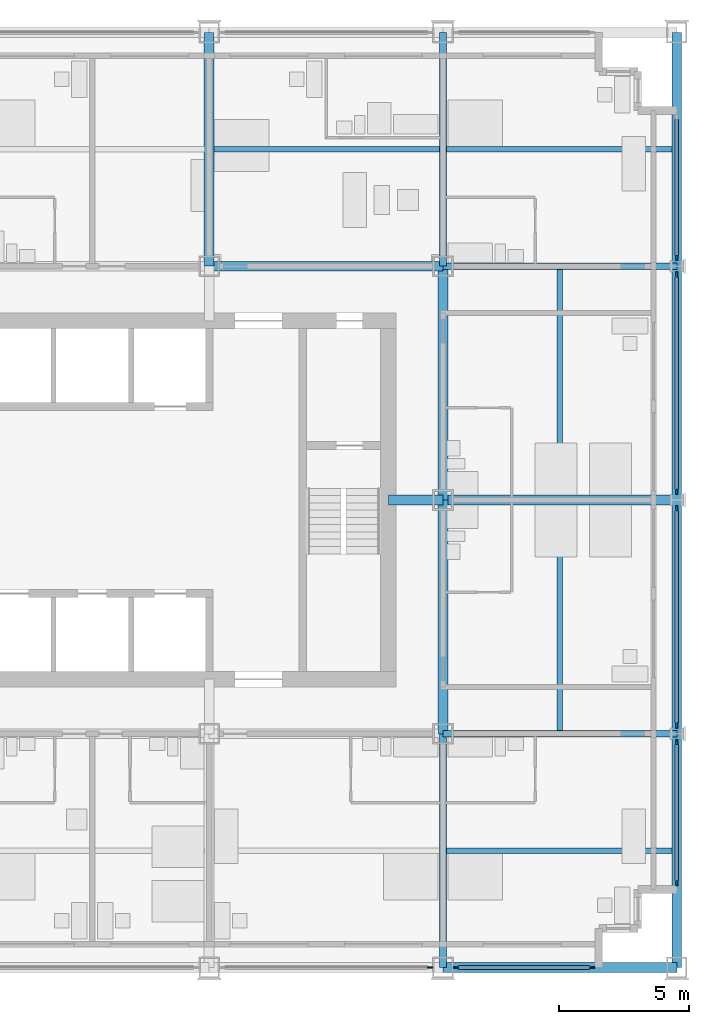
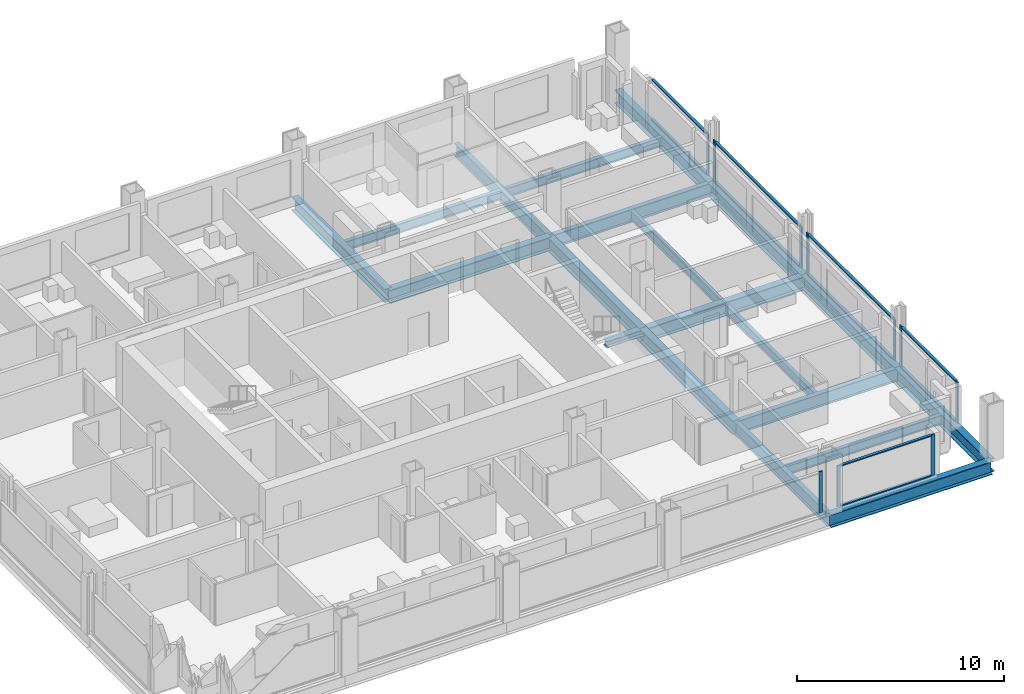
# One storey, part 5 of 16: 21 members, 19 beams, 6 elements without a shape of their own.
"""IFC4 building model written with IfcOpenShell, lengths in metres."""

from ifc_helpers import new_model, si_unit, direction, frame, origin, origin_2d, place, context, subcontext, project, spatial, rectangle, i_section, extrude, material, material_profile, profile_set, type_object, element, aggregate, save


model = new_model("IFC4")

# Units and contexts
model_context = context("Model", 3, precision=1e-05, world=origin(), true_north=direction((0.0, 1.0)))
body_context = subcontext(model_context, "Body", "Model", "MODEL_VIEW")
ifc_project = project(units=[si_unit("LENGTHUNIT", "METRE"), si_unit("AREAUNIT", "SQUARE_METRE"), si_unit("VOLUMEUNIT", "CUBIC_METRE"), si_unit("PLANEANGLEUNIT", "RADIAN"), si_unit("MASSUNIT", "GRAM", prefix="KILO")], contexts=[model_context])

# Site, building, storey
site_placement = place(None, origin())
site = spatial("IfcSite", under=ifc_project, at=site_placement, CompositionType="ELEMENT")
building_placement = place(site_placement, origin())
building = spatial("IfcBuilding", under=site, at=building_placement, Name="Loomwork Tower", CompositionType="ELEMENT")
storey_placement = place(building_placement, frame((0.0, 0.0, 128.199951171875)))
storey = spatial("IfcBuildingStorey", under=building, at=storey_placement, Name="L34", CompositionType="ELEMENT", Elevation=128.199951171875)

# Beams
ifc_material_1 = material(Name="Steel ASTM A992", Category="steel")
ifc_material_profile_1 = material_profile(ifc_material_1, i_section(OverallWidth=0.383544921875, OverallDepth=0.794921875, WebThickness=0.02099609375, FlangeThickness=0.0380859375, at=origin_2d()), Name="W30x235")
ifc_profile_set_1 = profile_set([ifc_material_profile_1], Name="Steel ASTM A992")
beam_type_1 = type_object("IfcBeamType", Name="CORE FLANK GIRDER W30x235", PredefinedType="BEAM", material=ifc_profile_set_1)
for number, where, z_axis, x_axis, name in (
    (1, (36.0, 18.0, -0.597412109375), (1.0, 0.0, 0.0), (0.0, 1.0, 0.0), "Core Flank Girder F/6-F/7 L34"),
    (2, (27.0, 27.0, -0.597412109375), (1.0, 0.0, 0.0), (0.0, 1.0, 0.0), "Core Flank Girder G/5-G/6 L34"),
    (3, (27.0, 27.0, -0.597412109375), (0.0, 1.0, 0.0), (-1.0, 0.0, 0.0), "Core Flank Girder G/5-H/5 L34"),
    (4, (36.0, 9.0, -0.597412109375), (0.0, 1.0, 0.0), (-1.0, 0.0, 0.0), "Core Flank Girder E/6-F/6 L34"),
    (5, (36.0, 18.0, -0.597412109375), (0.0, 1.0, 0.0), (-1.0, 0.0, 0.0), "Core Flank Girder F/6-G/6 L34"),
):
    element("IfcBeam", number, at=place(storey_placement, frame(where, z_axis=z_axis, x_axis=x_axis)), inside=storey, type_object=beam_type_1, Name=name, PredefinedType="BEAM", context=body_context, shape_type="SweptSolid", body=[
        extrude(i_section(OverallWidth=0.383544921875, OverallDepth=0.794921875, WebThickness=0.02099609375, FlangeThickness=0.0380859375, at=origin_2d()), origin(), (0.0, 0.0, 1.0), 9.0),
    ])

# Member
ifc_material_2 = material(Name="Steel ASTM A992", Category="steel")
ifc_material_profile_2 = material_profile(ifc_material_2, i_section(OverallWidth=0.373291015625, OverallDepth=0.373291015625, WebThickness=0.016357421875, FlangeThickness=0.026123046875, at=origin_2d()), Name="W14x132")
ifc_profile_set_2 = profile_set([ifc_material_profile_2], Name="Steel ASTM A992")
member_type_1 = type_object("IfcMemberType", Name="CORE LINK STRUT W14x132", PredefinedType="STRUT", material=ifc_profile_set_2)
member_1_placement = place(storey_placement, frame((36.0, 18.0, -0.38671875), z_axis=(-1.0, 0.0, 0.0), x_axis=(0.0, -1.0, 0.0)))
element("IfcMember", 6, at=member_1_placement, inside=storey, type_object=member_type_1, Name="Core link strut F/6-33.900,18.000 L34", PredefinedType="STRUT", context=body_context, shape_type="SweptSolid", body=[
    extrude(i_section(OverallWidth=0.373291015625, OverallDepth=0.373291015625, WebThickness=0.016357421875, FlangeThickness=0.026123046875, at=origin_2d()), origin(), (0.0, 0.0, 1.0), 2.10009765625),
])

# Beams
ifc_material_3 = material(Name="Steel ASTM A992", Category="steel")
ifc_material_profile_3 = material_profile(ifc_material_3, i_section(OverallWidth=0.2666015625, OverallDepth=0.761962890625, WebThickness=0.014404296875, FlangeThickness=0.021484375, at=origin_2d()), Name="W30x116")
ifc_profile_set_3 = profile_set([ifc_material_profile_3], Name="Steel ASTM A992")
beam_type_2 = type_object("IfcBeamType", Name="FLOOR GIRDER W30x116", PredefinedType="BEAM", material=ifc_profile_set_3)
for number, where, z_axis, x_axis, name in (
    (7, (36.0, 9.0, -0.5810546875), (1.0, 0.0, 0.0), (0.0, 1.0, 0.0), "Floor Girder E/6-E/7 L34"),
    (8, (36.0, 27.0, -0.5810546875), (1.0, 0.0, 0.0), (0.0, 1.0, 0.0), "Floor Girder G/6-G/7 L34"),
    (9, (36.0, 0.0, -0.5810546875), (0.0, 1.0, 0.0), (-1.0, 0.0, 0.0), "Floor Girder D/6-E/6 L34"),
    (10, (36.0, 27.0, -0.5810546875), (0.0, 1.0, 0.0), (-1.0, 0.0, 0.0), "Floor Girder G/6-H/6 L34"),
):
    element("IfcBeam", number, at=place(storey_placement, frame(where, z_axis=z_axis, x_axis=x_axis)), inside=storey, type_object=beam_type_2, Name=name, PredefinedType="BEAM", context=body_context, shape_type="SweptSolid", body=[
        extrude(i_section(OverallWidth=0.2666015625, OverallDepth=0.761962890625, WebThickness=0.014404296875, FlangeThickness=0.021484375, at=origin_2d()), origin(), (0.0, 0.0, 1.0), 9.0),
    ])
ifc_material_4 = material(Name="Steel ASTM A992", Category="steel")
ifc_material_profile_4 = material_profile(ifc_material_4, i_section(OverallWidth=0.2109375, OverallDepth=0.53857421875, WebThickness=0.011474609375, FlangeThickness=0.018798828125, at=origin_2d()), Name="W21x73")
ifc_profile_set_4 = profile_set([ifc_material_profile_4], Name="Steel ASTM A992")
beam_type_3 = type_object("IfcBeamType", Name="FLOOR JOIST W21x73", PredefinedType="JOIST", material=ifc_profile_set_4)
beam_1_placement = place(storey_placement, frame((27.19091796875, 31.5, -0.46923828125), z_axis=(1.0, 0.0, 0.0), x_axis=(0.0, 1.0, 0.0)))
element("IfcBeam", 11, at=beam_1_placement, inside=storey, type_object=beam_type_3, Name="Floor Joist 27.000,31.500-36.000,31.500 L34", PredefinedType="JOIST", context=body_context, shape_type="SweptSolid", body=[
    extrude(i_section(OverallWidth=0.2109375, OverallDepth=0.53857421875, WebThickness=0.011474609375, FlangeThickness=0.018798828125, at=origin_2d()), origin(), (0.0, 0.0, 1.0), 8.676025390625),
])
beam_2_placement = place(storey_placement, frame((36.133056640625, 4.5, -0.46923828125), z_axis=(1.0, 0.0, 0.0), x_axis=(0.0, 1.0, 0.0)))
element("IfcBeam", 12, at=beam_2_placement, inside=storey, type_object=beam_type_3, Name="Floor Joist 36.000,4.500-45.000,4.500 L34", PredefinedType="JOIST", context=body_context, shape_type="SweptSolid", body=[
    extrude(i_section(OverallWidth=0.2109375, OverallDepth=0.53857421875, WebThickness=0.011474609375, FlangeThickness=0.018798828125, at=origin_2d()), origin(), (0.0, 0.0, 1.0), 8.677001953125),
])
for number, where, z_axis, x_axis, name in (
    (13, (40.5, 9.133056640625, -0.46923828125), (0.0, 1.0, 0.0), (-1.0, 0.0, 0.0), "Floor Joist 40.500,9.000-40.500,18.000 L34"),
    (14, (40.5, 18.19091796875, -0.46923828125), (0.0, 1.0, 0.0), (-1.0, 0.0, 0.0), "Floor Joist 40.500,18.000-40.500,27.000 L34"),
):
    element("IfcBeam", number, at=place(storey_placement, frame(where, z_axis=z_axis, x_axis=x_axis)), inside=storey, type_object=beam_type_3, Name=name, PredefinedType="JOIST", context=body_context, shape_type="SweptSolid", body=[
        extrude(i_section(OverallWidth=0.2109375, OverallDepth=0.53857421875, WebThickness=0.011474609375, FlangeThickness=0.018798828125, at=origin_2d()), origin(), (0.0, 0.0, 1.0), 8.676025390625),
    ])
beam_3_placement = place(storey_placement, frame((36.133056640625, 31.5, -0.46923828125), z_axis=(1.0, 0.0, 0.0), x_axis=(0.0, 1.0, 0.0)))
element("IfcBeam", 15, at=beam_3_placement, inside=storey, type_object=beam_type_3, Name="Floor Joist 36.000,31.500-45.000,31.500 L34", PredefinedType="JOIST", context=body_context, shape_type="SweptSolid", body=[
    extrude(i_section(OverallWidth=0.2109375, OverallDepth=0.53857421875, WebThickness=0.011474609375, FlangeThickness=0.018798828125, at=origin_2d()), origin(), (0.0, 0.0, 1.0), 8.677001953125),
])

# Curtain wall, member
ifc_material_5 = material(Name="Aluminium curtain wall frame", Category="aluminium")
curtain_wall_type = type_object("IfcCurtainWallType", Name="Outer skin glazing hotel", PredefinedType="NOTDEFINED", material=ifc_material_5)
curtain_wall_1_placement = place(storey_placement, origin())
curtain_wall_1 = element("IfcCurtainWall", 16, at=curtain_wall_1_placement, inside=storey, type_object=curtain_wall_type, Name="Outer skin glazing hotel cw/S-27", PredefinedType="NOTDEFINED")
ifc_material_6 = material(Name="Aluminium curtain wall frame", Category="aluminium")
ifc_material_profile_5 = material_profile(ifc_material_6, rectangle(XDim=0.06494140625, YDim=0.199951171875, at=origin_2d()), Name="AL 65x200")
ifc_profile_set_5 = profile_set([ifc_material_profile_5], Name="Aluminium curtain wall frame")
member_type_2 = type_object("IfcMemberType", Name="Outer skin glazing hotel mullion", PredefinedType="MULLION", material=ifc_profile_set_5)
member_2_placement = place(storey_placement, frame((35.5, 0.0, 0.0), z_axis=(0.0, 0.0, 1.0), x_axis=(0.0, 1.0, 0.0)))
member_2 = element("IfcMember", 17, at=member_2_placement, type_object=member_type_2, Name="CW1 mullion 2", PredefinedType="MULLION", context=body_context, shape_type="SweptSolid", body=[
    extrude(rectangle(XDim=0.06494140625, YDim=0.199951171875, at=origin_2d()), origin(), (0.0, 0.0, 1.0), 2.420166015625),
])
aggregate(curtain_wall_1, [member_2])

# Curtain wall, members
curtain_wall_2_placement = place(storey_placement, origin())
curtain_wall_2 = element("IfcCurtainWall", 18, at=curtain_wall_2_placement, inside=storey, type_object=curtain_wall_type, Name="Outer skin glazing hotel cw/S-36", PredefinedType="NOTDEFINED")
member_3_placement = place(storey_placement, frame((36.5, 0.0, 0.0), z_axis=(0.0, 0.0, 1.0), x_axis=(0.0, 1.0, 0.0)))
member_3 = element("IfcMember", 19, at=member_3_placement, type_object=member_type_2, Name="CW1 mullion 1", PredefinedType="MULLION", context=body_context, shape_type="SweptSolid", body=[
    extrude(rectangle(XDim=0.06494140625, YDim=0.199951171875, at=origin_2d()), origin(), (0.0, 0.0, 1.0), 2.420166015625),
])
member_4_placement = place(storey_placement, frame((41.75, 0.0, 0.0), z_axis=(0.0, 0.0, 1.0), x_axis=(0.0, 1.0, 0.0)))
member_4 = element("IfcMember", 20, at=member_4_placement, type_object=member_type_2, Name="CW1 mullion 2", PredefinedType="MULLION", context=body_context, shape_type="SweptSolid", body=[
    extrude(rectangle(XDim=0.06494140625, YDim=0.199951171875, at=origin_2d()), origin(), (0.0, 0.0, 1.0), 2.420166015625),
])

curtain_wall_3_placement = place(storey_placement, origin())
curtain_wall_3 = element("IfcCurtainWall", 21, at=curtain_wall_3_placement, inside=storey, type_object=curtain_wall_type, Name="Outer skin glazing hotel cw/E-0", PredefinedType="NOTDEFINED")
member_5_placement = place(storey_placement, frame((45.0, 3.25, 0.0), z_axis=(0.0, 0.0, 1.0), x_axis=(-1.0, 0.0, 0.0)))
member_5 = element("IfcMember", 22, at=member_5_placement, type_object=member_type_2, Name="CW1 mullion 1", PredefinedType="MULLION", context=body_context, shape_type="SweptSolid", body=[
    extrude(rectangle(XDim=0.06494140625, YDim=0.199951171875, at=origin_2d()), origin(), (0.0, 0.0, 1.0), 2.420166015625),
])
member_6_placement = place(storey_placement, frame((45.0, 8.678955078125, 0.0), z_axis=(0.0, 0.0, 1.0), x_axis=(-1.0, 0.0, 0.0)))
member_6 = element("IfcMember", 23, at=member_6_placement, type_object=member_type_2, Name="CW1 mullion 2", PredefinedType="MULLION", context=body_context, shape_type="SweptSolid", body=[
    extrude(rectangle(XDim=0.06494140625, YDim=0.199951171875, at=origin_2d()), origin(), (0.0, 0.0, 1.0), 2.420166015625),
])

curtain_wall_4_placement = place(storey_placement, origin())
curtain_wall_4 = element("IfcCurtainWall", 24, at=curtain_wall_4_placement, inside=storey, type_object=curtain_wall_type, Name="Outer skin glazing hotel cw/E-9", PredefinedType="NOTDEFINED")
member_7_placement = place(storey_placement, frame((45.0, 9.321044921875, 0.0), z_axis=(0.0, 0.0, 1.0), x_axis=(-1.0, 0.0, 0.0)))
member_7 = element("IfcMember", 25, at=member_7_placement, type_object=member_type_2, Name="CW1 mullion 1", PredefinedType="MULLION", context=body_context, shape_type="SweptSolid", body=[
    extrude(rectangle(XDim=0.06494140625, YDim=0.199951171875, at=origin_2d()), origin(), (0.0, 0.0, 1.0), 2.420166015625),
])
member_8_placement = place(storey_placement, frame((45.0, 17.678955078125, 0.0), z_axis=(0.0, 0.0, 1.0), x_axis=(-1.0, 0.0, 0.0)))
member_8 = element("IfcMember", 26, at=member_8_placement, type_object=member_type_2, Name="CW1 mullion 2", PredefinedType="MULLION", context=body_context, shape_type="SweptSolid", body=[
    extrude(rectangle(XDim=0.06494140625, YDim=0.199951171875, at=origin_2d()), origin(), (0.0, 0.0, 1.0), 2.420166015625),
])

curtain_wall_5_placement = place(storey_placement, origin())
curtain_wall_5 = element("IfcCurtainWall", 27, at=curtain_wall_5_placement, inside=storey, type_object=curtain_wall_type, Name="Outer skin glazing hotel cw/E-18", PredefinedType="NOTDEFINED")
member_9_placement = place(storey_placement, frame((45.0, 18.321044921875, 0.0), z_axis=(0.0, 0.0, 1.0), x_axis=(-1.0, 0.0, 0.0)))
member_9 = element("IfcMember", 28, at=member_9_placement, type_object=member_type_2, Name="CW1 mullion 1", PredefinedType="MULLION", context=body_context, shape_type="SweptSolid", body=[
    extrude(rectangle(XDim=0.06494140625, YDim=0.199951171875, at=origin_2d()), origin(), (0.0, 0.0, 1.0), 2.420166015625),
])
member_10_placement = place(storey_placement, frame((45.0, 26.678955078125, 0.0), z_axis=(0.0, 0.0, 1.0), x_axis=(-1.0, 0.0, 0.0)))
member_10 = element("IfcMember", 29, at=member_10_placement, type_object=member_type_2, Name="CW1 mullion 2", PredefinedType="MULLION", context=body_context, shape_type="SweptSolid", body=[
    extrude(rectangle(XDim=0.06494140625, YDim=0.199951171875, at=origin_2d()), origin(), (0.0, 0.0, 1.0), 2.420166015625),
])

# Curtain wall, member
curtain_wall_6_placement = place(storey_placement, origin())
curtain_wall_6 = element("IfcCurtainWall", 30, at=curtain_wall_6_placement, inside=storey, type_object=curtain_wall_type, Name="Outer skin glazing hotel cw/E-27", PredefinedType="NOTDEFINED")
member_11_placement = place(storey_placement, frame((45.0, 27.321044921875, 0.0), z_axis=(0.0, 0.0, 1.0), x_axis=(-1.0, 0.0, 0.0)))
member_11 = element("IfcMember", 31, at=member_11_placement, type_object=member_type_2, Name="CW1 mullion 1", PredefinedType="MULLION", context=body_context, shape_type="SweptSolid", body=[
    extrude(rectangle(XDim=0.06494140625, YDim=0.199951171875, at=origin_2d()), origin(), (0.0, 0.0, 1.0), 2.420166015625),
])

# Member
ifc_material_7 = material(Name="Aluminium curtain wall frame", Category="aluminium")
ifc_material_profile_6 = material_profile(ifc_material_7, rectangle(XDim=0.14990234375, YDim=0.06494140625, at=origin_2d()), Name="AL 65x150")
ifc_profile_set_6 = profile_set([ifc_material_profile_6], Name="Aluminium curtain wall frame")
member_type_3 = type_object("IfcMemberType", Name="Outer skin glazing hotel transom", PredefinedType="USERDEFINED", material=ifc_profile_set_6)
member_12_placement = place(storey_placement, frame((36.60009765625, 0.0, 0.032470703125), z_axis=(1.0, 0.0, 0.0), x_axis=(0.0, 1.0, 0.0)))
member_12 = element("IfcMember", 32, at=member_12_placement, type_object=member_type_3, Name="CW1 transom 1.1", ObjectType="TRANSOM", PredefinedType="USERDEFINED", context=body_context, shape_type="SweptSolid", body=[
    extrude(rectangle(XDim=0.14990234375, YDim=0.06494140625, at=origin_2d()), origin(), (0.0, 0.0, 1.0), 5.0498046875),
])

member_13_placement = place(storey_placement, frame((36.60009765625, 0.0, 2.3876953125), z_axis=(1.0, 0.0, 0.0), x_axis=(0.0, 1.0, 0.0)))
member_13 = element("IfcMember", 33, at=member_13_placement, type_object=member_type_3, Name="CW1 transom 1.2", ObjectType="TRANSOM", PredefinedType="USERDEFINED", context=body_context, shape_type="SweptSolid", body=[
    extrude(rectangle(XDim=0.14990234375, YDim=0.06494140625, at=origin_2d()), origin(), (0.0, 0.0, 1.0), 5.0498046875),
])

aggregate(curtain_wall_2, [member_3, member_4, member_12, member_13])

member_14_placement = place(storey_placement, frame((45.0, 3.35009765625, 0.032470703125), z_axis=(0.0, 1.0, 0.0), x_axis=(-1.0, 0.0, 0.0)))
member_14 = element("IfcMember", 34, at=member_14_placement, type_object=member_type_3, Name="CW1 transom 1.1", ObjectType="TRANSOM", PredefinedType="USERDEFINED", context=body_context, shape_type="SweptSolid", body=[
    extrude(rectangle(XDim=0.14990234375, YDim=0.06494140625, at=origin_2d()), origin(), (0.0, 0.0, 1.0), 5.22900390625),
])

member_15_placement = place(storey_placement, frame((45.0, 3.35009765625, 2.3876953125), z_axis=(0.0, 1.0, 0.0), x_axis=(-1.0, 0.0, 0.0)))
member_15 = element("IfcMember", 35, at=member_15_placement, type_object=member_type_3, Name="CW1 transom 1.2", ObjectType="TRANSOM", PredefinedType="USERDEFINED", context=body_context, shape_type="SweptSolid", body=[
    extrude(rectangle(XDim=0.14990234375, YDim=0.06494140625, at=origin_2d()), origin(), (0.0, 0.0, 1.0), 5.22900390625),
])

aggregate(curtain_wall_3, [member_5, member_6, member_14, member_15])

member_16_placement = place(storey_placement, frame((45.0, 9.4208984375, 0.032470703125), z_axis=(0.0, 1.0, 0.0), x_axis=(-1.0, 0.0, 0.0)))
member_16 = element("IfcMember", 36, at=member_16_placement, type_object=member_type_3, Name="CW1 transom 1.1", ObjectType="TRANSOM", PredefinedType="USERDEFINED", context=body_context, shape_type="SweptSolid", body=[
    extrude(rectangle(XDim=0.14990234375, YDim=0.06494140625, at=origin_2d()), origin(), (0.0, 0.0, 1.0), 8.158203125),
])

member_17_placement = place(storey_placement, frame((45.0, 9.4208984375, 2.3876953125), z_axis=(0.0, 1.0, 0.0), x_axis=(-1.0, 0.0, 0.0)))
member_17 = element("IfcMember", 37, at=member_17_placement, type_object=member_type_3, Name="CW1 transom 1.2", ObjectType="TRANSOM", PredefinedType="USERDEFINED", context=body_context, shape_type="SweptSolid", body=[
    extrude(rectangle(XDim=0.14990234375, YDim=0.06494140625, at=origin_2d()), origin(), (0.0, 0.0, 1.0), 8.158203125),
])

aggregate(curtain_wall_4, [member_7, member_8, member_16, member_17])

member_18_placement = place(storey_placement, frame((45.0, 18.4208984375, 0.032470703125), z_axis=(0.0, 1.0, 0.0), x_axis=(-1.0, 0.0, 0.0)))
member_18 = element("IfcMember", 38, at=member_18_placement, type_object=member_type_3, Name="CW1 transom 1.1", ObjectType="TRANSOM", PredefinedType="USERDEFINED", context=body_context, shape_type="SweptSolid", body=[
    extrude(rectangle(XDim=0.14990234375, YDim=0.06494140625, at=origin_2d()), origin(), (0.0, 0.0, 1.0), 8.158203125),
])

member_19_placement = place(storey_placement, frame((45.0, 18.4208984375, 2.3876953125), z_axis=(0.0, 1.0, 0.0), x_axis=(-1.0, 0.0, 0.0)))
member_19 = element("IfcMember", 39, at=member_19_placement, type_object=member_type_3, Name="CW1 transom 1.2", ObjectType="TRANSOM", PredefinedType="USERDEFINED", context=body_context, shape_type="SweptSolid", body=[
    extrude(rectangle(XDim=0.14990234375, YDim=0.06494140625, at=origin_2d()), origin(), (0.0, 0.0, 1.0), 8.158203125),
])

aggregate(curtain_wall_5, [member_9, member_10, member_18, member_19])

member_20_placement = place(storey_placement, frame((45.0, 27.4208984375, 0.032470703125), z_axis=(0.0, 1.0, 0.0), x_axis=(-1.0, 0.0, 0.0)))
member_20 = element("IfcMember", 40, at=member_20_placement, type_object=member_type_3, Name="CW1 transom 1.1", ObjectType="TRANSOM", PredefinedType="USERDEFINED", context=body_context, shape_type="SweptSolid", body=[
    extrude(rectangle(XDim=0.14990234375, YDim=0.06494140625, at=origin_2d()), origin(), (0.0, 0.0, 1.0), 5.22900390625),
])

member_21_placement = place(storey_placement, frame((45.0, 27.4208984375, 2.3876953125), z_axis=(0.0, 1.0, 0.0), x_axis=(-1.0, 0.0, 0.0)))
member_21 = element("IfcMember", 41, at=member_21_placement, type_object=member_type_3, Name="CW1 transom 1.2", ObjectType="TRANSOM", PredefinedType="USERDEFINED", context=body_context, shape_type="SweptSolid", body=[
    extrude(rectangle(XDim=0.14990234375, YDim=0.06494140625, at=origin_2d()), origin(), (0.0, 0.0, 1.0), 5.22900390625),
])

aggregate(curtain_wall_6, [member_11, member_20, member_21])

# Beams
ifc_material_8 = material(Name="Steel ASTM A992", Category="steel")
ifc_material_profile_7 = material_profile(ifc_material_8, i_section(OverallWidth=0.381103515625, OverallDepth=0.77978515625, WebThickness=0.01806640625, FlangeThickness=0.0302734375, at=origin_2d()), Name="W30x191")
ifc_profile_set_7 = profile_set([ifc_material_profile_7], Name="Steel ASTM A992")
beam_type_4 = type_object("IfcBeamType", Name="SPANDREL GIRDER W30x191", PredefinedType="SPANDREL", material=ifc_profile_set_7)
for number, where, z_axis, x_axis, name in (
    (42, (36.0, 0.0, -0.58984375), (1.0, 0.0, 0.0), (0.0, 1.0, 0.0), "Spandrel Girder D/6-D/7 L34"),
    (43, (45.0, 0.0, -0.58984375), (0.0, 1.0, 0.0), (-1.0, 0.0, 0.0), "Spandrel Girder D/7-E/7 L34"),
    (44, (45.0, 9.0, -0.58984375), (0.0, 1.0, 0.0), (-1.0, 0.0, 0.0), "Spandrel Girder E/7-F/7 L34"),
    (45, (45.0, 18.0, -0.58984375), (0.0, 1.0, 0.0), (-1.0, 0.0, 0.0), "Spandrel Girder F/7-G/7 L34"),
    (46, (45.0, 27.0, -0.58984375), (0.0, 1.0, 0.0), (-1.0, 0.0, 0.0), "Spandrel Girder G/7-H/7 L34"),
):
    element("IfcBeam", number, at=place(storey_placement, frame(where, z_axis=z_axis, x_axis=x_axis)), inside=storey, type_object=beam_type_4, Name=name, PredefinedType="SPANDREL", context=body_context, shape_type="SweptSolid", body=[
        extrude(i_section(OverallWidth=0.381103515625, OverallDepth=0.77978515625, WebThickness=0.01806640625, FlangeThickness=0.0302734375, at=origin_2d()), origin(), (0.0, 0.0, 1.0), 9.0),
    ])

save(model, "model.ifc")
